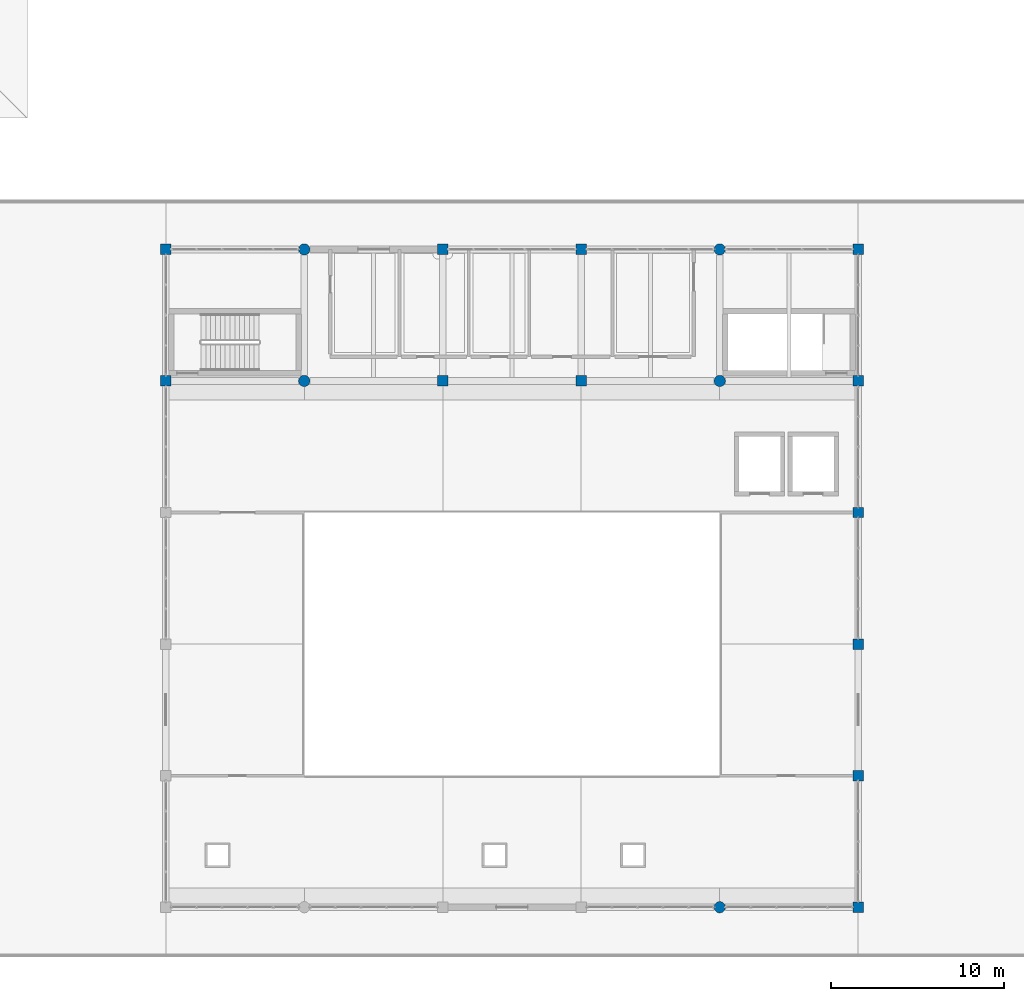
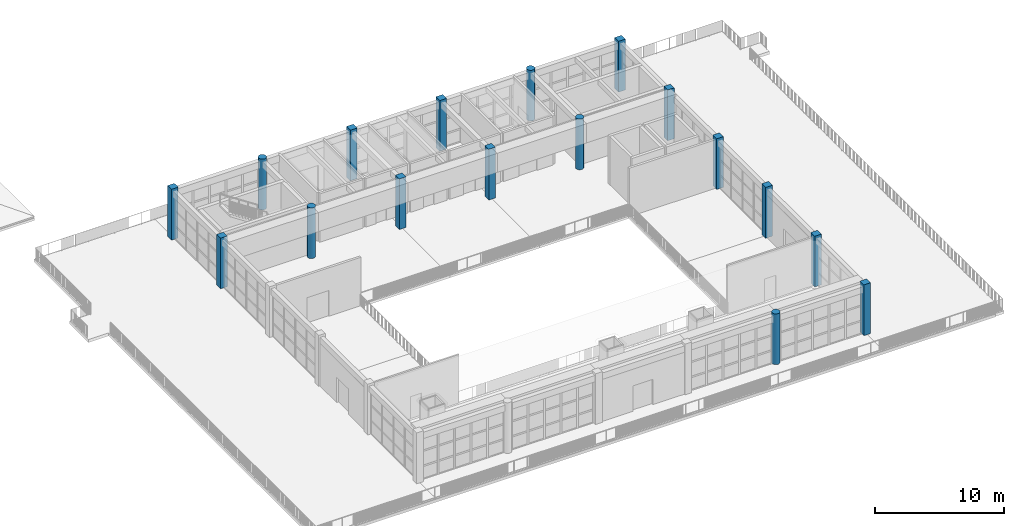
# One storey, part 3 of 32: 17 columns.
"""IFC4 building model written with IfcOpenShell, lengths in metres."""

from ifc_helpers import new_model, si_unit, direction, frame, origin, origin_2d, place, context, subcontext, project, spatial, rectangle, circle, extrude, material, material_profile, profile_set, type_object, element, save


model = new_model("IFC4")

# Units and contexts
model_context = context("Model", 3, precision=1e-05, world=origin(), true_north=direction((0.0, 1.0)))
body_context = subcontext(model_context, "Body", "Model", "MODEL_VIEW")
ifc_project = project(units=[si_unit("LENGTHUNIT", "METRE"), si_unit("AREAUNIT", "SQUARE_METRE"), si_unit("VOLUMEUNIT", "CUBIC_METRE"), si_unit("PLANEANGLEUNIT", "RADIAN"), si_unit("MASSUNIT", "GRAM", prefix="KILO")], contexts=[model_context])

# Site, building, storey
site_placement = place(None, origin())
site = spatial("IfcSite", under=ifc_project, at=site_placement, CompositionType="ELEMENT")
building_placement = place(site_placement, origin())
building = spatial("IfcBuilding", under=site, at=building_placement, Name="Zantavel Square City Hall", CompositionType="ELEMENT")
storey_placement = place(building_placement, frame((0.0, 0.0, 23.699951171875)))
storey = spatial("IfcBuildingStorey", under=building, at=storey_placement, Name="L06", CompositionType="ELEMENT", Elevation=23.699951171875)

# Columns
ifc_material = material(Name="Concrete C40/50", Category="concrete")
ifc_material_profile_1 = material_profile(ifc_material, rectangle(XDim=0.60009765625, YDim=0.60009765625, at=origin_2d()), Name="RC 600x600")
ifc_profile_set_1 = profile_set([ifc_material_profile_1], Name="Concrete C40/50")
column_type_1 = type_object("IfcColumnType", Name="Column RC 600x600 C40/50", PredefinedType="COLUMN", material=ifc_profile_set_1)
for number, where, z_axis, x_axis, name in (
    (1, (64.0, 60.800048828125, 0.0), (0.0, 0.0, 1.0), (1.0, 0.0, 0.0), "L06 Column COL-L06-0640-0608"),
    (2, (64.0, 68.39990234375, 0.0), (0.0, 0.0, 1.0), (1.0, 0.0, 0.0), "L06 Column COL-L06-0640-0684"),
    (3, (80.0, 60.800048828125, 0.0), (0.0, 0.0, 1.0), (1.0, 0.0, 0.0), "L06 Column COL-L06-0800-0608"),
    (4, (80.0, 68.39990234375, 0.0), (0.0, 0.0, 1.0), (1.0, 0.0, 0.0), "L06 Column COL-L06-0800-0684"),
    (5, (88.0, 60.800048828125, 0.0), (0.0, 0.0, 1.0), (1.0, 0.0, 0.0), "L06 Column COL-L06-0880-0608"),
    (6, (88.0, 68.39990234375, 0.0), (0.0, 0.0, 1.0), (1.0, 0.0, 0.0), "L06 Column COL-L06-0880-0684"),
    (7, (104.0, 30.39990234375, 0.0), (0.0, 0.0, 1.0), (1.0, 0.0, 0.0), "L06 Column COL-L06-1040-0304"),
    (8, (104.0, 38.0, 0.0), (0.0, 0.0, 1.0), (1.0, 0.0, 0.0), "L06 Column COL-L06-1040-0380"),
    (9, (104.0, 45.60009765625, 0.0), (0.0, 0.0, 1.0), (1.0, 0.0, 0.0), "L06 Column COL-L06-1040-0456"),
    (10, (104.0, 53.199951171875, 0.0), (0.0, 0.0, 1.0), (1.0, 0.0, 0.0), "L06 Column COL-L06-1040-0532"),
    (11, (104.0, 60.800048828125, 0.0), (0.0, 0.0, 1.0), (1.0, 0.0, 0.0), "L06 Column COL-L06-1040-0608"),
    (12, (104.0, 68.39990234375, 0.0), (0.0, 0.0, 1.0), (1.0, 0.0, 0.0), "L06 Column COL-L06-1040-0684"),
):
    element("IfcColumn", number, at=place(storey_placement, frame(where, z_axis=z_axis, x_axis=x_axis)), inside=storey, type_object=column_type_1, Name=name, PredefinedType="COLUMN", context=body_context, shape_type="SweptSolid", body=[
        extrude(rectangle(XDim=0.60009765625, YDim=0.60009765625, at=origin_2d()), origin(), (0.0, 0.0, 1.0), 4.800048828125),
    ])
ifc_material_profile_2 = material_profile(ifc_material, circle(Radius=0.324951171875, at=origin_2d()), Name="ROUND D650")
ifc_profile_set_2 = profile_set([ifc_material_profile_2], Name="Concrete C40/50")
column_type_2 = type_object("IfcColumnType", Name="Gallery Classical Column D650 C40/50", PredefinedType="COLUMN", material=ifc_profile_set_2)
for number, where, z_axis, x_axis, name in (
    (13, (72.0, 60.800048828125, 0.0), (0.0, 0.0, 1.0), (1.0, 0.0, 0.0), "L06 Column COL-L06-0720-0608"),
    (14, (72.0, 68.39990234375, 0.0), (0.0, 0.0, 1.0), (1.0, 0.0, 0.0), "L06 Column COL-L06-0720-0684"),
    (15, (96.0, 30.39990234375, 0.0), (0.0, 0.0, 1.0), (1.0, 0.0, 0.0), "L06 Column COL-L06-0960-0304"),
    (16, (96.0, 60.800048828125, 0.0), (0.0, 0.0, 1.0), (1.0, 0.0, 0.0), "L06 Column COL-L06-0960-0608"),
    (17, (96.0, 68.39990234375, 0.0), (0.0, 0.0, 1.0), (1.0, 0.0, 0.0), "L06 Column COL-L06-0960-0684"),
):
    element("IfcColumn", number, at=place(storey_placement, frame(where, z_axis=z_axis, x_axis=x_axis)), inside=storey, type_object=column_type_2, Name=name, PredefinedType="COLUMN", context=body_context, shape_type="SweptSolid", body=[
        extrude(circle(Radius=0.324951171875, at=origin_2d()), origin(), (0.0, 0.0, 1.0), 4.800048828125),
    ])

save(model, "model.ifc")
